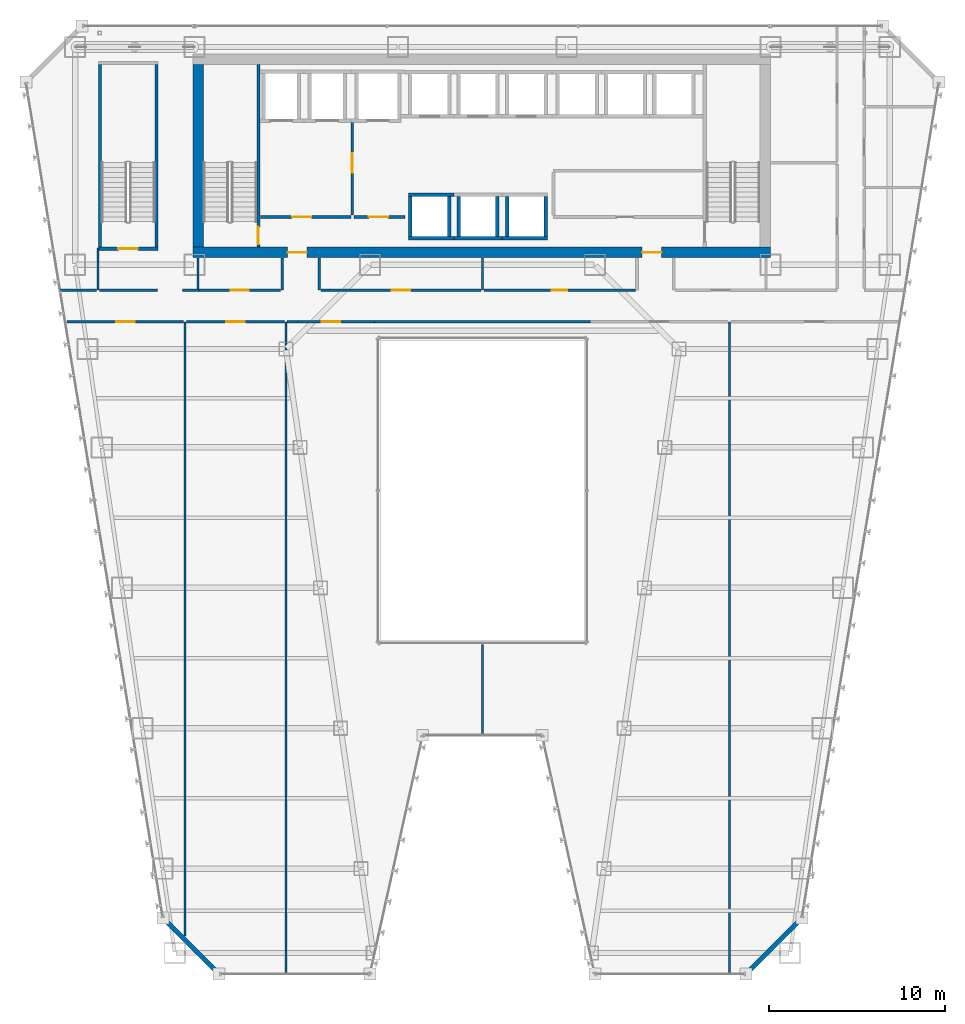
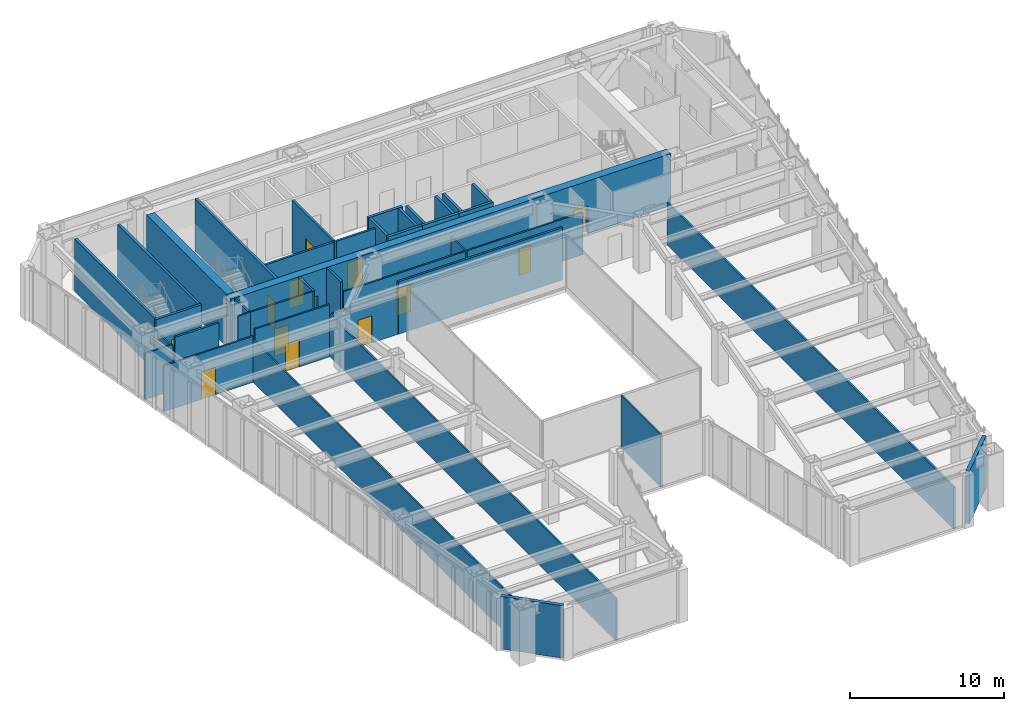
# One storey, part 36 of 47: 40 walls, 13 doors, 13 openings.
"""IFC4 building model written with IfcOpenShell, lengths in metres."""

import ifcopenshell
import ifcopenshell.guid

model = None  # the IFC model being written
_history = None  # IfcOwnerHistory: only IFC2X3 demands one
_inside = {}  # id of a spatial element -> (the spatial element, [elements in it])
_under = {}  # id of a project, library or spatial element -> (it, [spatial elements below it])
_declared = {}  # id of a project -> (the project, [libraries it declares])
_typed = {}  # id of a type object -> (the type object, [elements of that type])
_made_of = {}  # id of a material, layer set ... -> (it, [elements and type objects made of it])


def new_model(schema):
    """Start an empty IFC model of exactly this schema.

    Asked for "IFC4X3", IfcOpenShell would pick the latest addendum, in which some entities
    have other attributes; the version numbers below select the first issue.
    IFC2X3 requires an IfcOwnerHistory on every rooted entity: one is made here for all.
    """
    global model, _history
    if schema == "IFC4X3":
        model = ifcopenshell.file(schema_version=(4, 3, 0, 0))
    else:
        model = ifcopenshell.file(schema=schema)
    _inside.clear()
    _under.clear()
    _declared.clear()
    _typed.clear()
    _made_of.clear()
    _history = None
    if model.schema == "IFC2X3":
        org = make("IfcOrganization", Name="unknown")
        user = make(
            "IfcPersonAndOrganization",
            ThePerson=make("IfcPerson", FamilyName="unknown"),
            TheOrganization=org,
        )
        app = make(
            "IfcApplication",
            ApplicationDeveloper=org,
            Version="unknown",
            ApplicationFullName="unknown",
            ApplicationIdentifier="unknown",
        )
        _history = make(
            "IfcOwnerHistory",
            OwningUser=user,
            OwningApplication=app,
            ChangeAction="ADDED",
            CreationDate=0,
        )
    return model


def make(cls, **values):
    """One entity of the class cls with the attributes given. An attribute that is None is left unset."""
    return model.create_entity(
        cls, **{name: value for name, value in values.items() if value is not None}
    )


def rooted(cls, **values):
    """An entity with a GlobalId (a new one), such as an element, a storey or a relation."""
    return make(cls, GlobalId=ifcopenshell.guid.new(), OwnerHistory=_history, **values)


def si_unit(unit_type, name, prefix=None):
    """IfcSIUnit, for example si_unit("LENGTHUNIT", "METRE", prefix="MILLI")."""
    return make("IfcSIUnit", UnitType=unit_type, Prefix=prefix, Name=name)


def assignment(units):
    """IfcUnitAssignment: the units of a project."""
    return None if units is None else make("IfcUnitAssignment", Units=units)


def point(xyz):
    """IfcCartesianPoint."""
    return None if xyz is None else make("IfcCartesianPoint", Coordinates=xyz)


def direction(xyz):
    """IfcDirection."""
    return None if xyz is None else make("IfcDirection", DirectionRatios=xyz)


def frame(location, z_axis=None, x_axis=None):
    """IfcAxis2Placement3D, a coordinate frame: its origin and axes. An axis left out is left unset."""
    return make(
        "IfcAxis2Placement3D",
        Location=point(location),
        Axis=direction(z_axis),
        RefDirection=direction(x_axis),
    )


def frame_2d(location, x_axis=None):
    """IfcAxis2Placement2D, a coordinate frame in the plane: its origin and x axis."""
    return make(
        "IfcAxis2Placement2D", Location=point(location), RefDirection=direction(x_axis)
    )


def origin():
    """The frame at (0, 0, 0) with its axes left unset."""
    return frame((0.0, 0.0, 0.0))


def place(relative_to, where):
    """IfcLocalPlacement: puts the frame where relative to a parent placement (None: the world)."""
    return make(
        "IfcLocalPlacement", PlacementRelTo=relative_to, RelativePlacement=where
    )


def context(
    kind, dimensions, precision=None, world=None, true_north=None, identifier=None
):
    """IfcGeometricRepresentationContext, for example the 3D "Model" context."""
    return make(
        "IfcGeometricRepresentationContext",
        ContextIdentifier=identifier,
        ContextType=kind,
        CoordinateSpaceDimension=dimensions,
        Precision=precision,
        WorldCoordinateSystem=world,
        TrueNorth=true_north,
    )


def subcontext(parent, identifier, kind, view, scale=None):
    """IfcGeometricRepresentationSubContext, for example "Body" below "Model"."""
    return make(
        "IfcGeometricRepresentationSubContext",
        ContextIdentifier=identifier,
        ContextType=kind,
        ParentContext=parent,
        TargetScale=scale,
        TargetView=view,
    )


def project(units=None, contexts=None):
    """IfcProject with its units and contexts."""
    return rooted(
        "IfcProject",
        Name="project",
        RepresentationContexts=contexts,
        UnitsInContext=assignment(units),
    )


def spatial(cls, under=None, at=None, **own):
    """A site, building, storey or space (cls), placed at a placement, below another one or the project."""
    s = rooted(cls, ObjectPlacement=at, **own)
    if under is not None:
        _under.setdefault(under.id(), (under, []))[1].append(s)
    return s


def profile(cls, at=None, kind="AREA", **sizes):
    """A parametric profile (cls). Its sizes go by their IFC names, for example OverallWidth=200.0."""
    return make(cls, ProfileType=kind, Position=at, **sizes)


def rectangle(**sizes):
    """IfcRectangleProfileDef."""
    return profile("IfcRectangleProfileDef", **sizes)


def extrude(swept, where, along, depth):
    """IfcExtrudedAreaSolid: the profile swept, set in the frame where, extruded along a direction by depth."""
    return make(
        "IfcExtrudedAreaSolid",
        SweptArea=swept,
        Position=where,
        ExtrudedDirection=direction(along),
        Depth=depth,
    )


def shape(context_of_items, identifier, shape_type, items):
    """IfcShapeRepresentation: the items that make up one representation, for example the "Body"."""
    return make(
        "IfcShapeRepresentation",
        ContextOfItems=context_of_items,
        RepresentationIdentifier=identifier,
        RepresentationType=shape_type,
        Items=items,
    )


def material(Name=None, Category=None):
    """IfcMaterial."""
    return make("IfcMaterial", Name=Name, Category=Category)


def layer(
    of_material, thickness, ventilated=None, Name=None, Category=None, Priority=None
):
    """IfcMaterialLayer: one layer of a wall or slab, of a material (None: an air gap)."""
    return make(
        "IfcMaterialLayer",
        Material=of_material,
        LayerThickness=thickness,
        IsVentilated=ventilated,
        Name=Name,
        Category=Category,
        Priority=Priority,
    )


def layer_set(layers, Name=None):
    """IfcMaterialLayerSet."""
    return make("IfcMaterialLayerSet", MaterialLayers=layers, LayerSetName=Name)


def made_of(thing, what):
    """Note that an element or type object is made of a material, layer set ...; save() writes the relation."""
    if what is not None:
        _made_of.setdefault(what.id(), (what, []))[1].append(thing)
    return thing


def type_object(cls, material=None, **own):
    """A type object (cls), such as IfcWallType, which elements share."""
    return made_of(rooted(cls, **own), material)


def element(
    cls,
    number,
    at=None,
    inside=None,
    cuts=None,
    type_object=None,
    material=None,
    context=None,
    identifier="Body",
    shape_type=None,
    held_by="IfcProductDefinitionShape",
    body=None,
    shapes=None,
    **own,
):
    """One element of the class cls, such as IfcWall. Its Tag is "e" and its number.

    at: its placement. inside: the storey or other place that contains it. cuts: it is an
    opening in that element (IfcRelVoidsElement). A single representation is given by context,
    identifier, shape_type and body (its items); several are given by shapes. held_by: the class
    of the entity that holds the representations. save() writes the other relations.
    """
    e = rooted(cls, Tag="e%d" % number, ObjectPlacement=at, **own)
    if body is not None:
        shapes = [shape(context, identifier, shape_type, body)]
    if shapes is not None:
        e.Representation = make(held_by, Representations=shapes)
    if inside is not None:
        _inside.setdefault(inside.id(), (inside, []))[1].append(e)
    if cuts is not None:
        rooted(
            "IfcRelVoidsElement", RelatingBuildingElement=cuts, RelatedOpeningElement=e
        )
    if type_object is not None:
        _typed.setdefault(type_object.id(), (type_object, []))[1].append(e)
    return made_of(e, material)


def fill(opening, filler):
    """IfcRelFillsElement: the door or window that sits in an opening."""
    return rooted(
        "IfcRelFillsElement",
        RelatingOpeningElement=opening,
        RelatedBuildingElement=filler,
    )


def aggregate(whole, parts):
    """IfcRelAggregates: a whole, such as a stair, and the parts it consists of."""
    return rooted("IfcRelAggregates", RelatingObject=whole, RelatedObjects=parts)


def save(model, path):
    """Write the relations noted so far, then the file.

    IfcRelAggregates (storeys below a building ...), IfcRelContainedInSpatialStructure (elements
    in a storey), IfcRelDefinesByType, IfcRelAssociatesMaterial and IfcRelDeclares: one each for
    every whole, place, type object, material and project.
    """
    for whole, parts in _under.values():
        aggregate(whole, parts)
    for where, things in _inside.values():
        rooted(
            "IfcRelContainedInSpatialStructure",
            RelatedElements=things,
            RelatingStructure=where,
        )
    for kind, things in _typed.values():
        rooted("IfcRelDefinesByType", RelatedObjects=things, RelatingType=kind)
    for what, things in _made_of.values():
        rooted("IfcRelAssociatesMaterial", RelatedObjects=things, RelatingMaterial=what)
    for by, libraries in _declared.values():
        rooted("IfcRelDeclares", RelatingContext=by, RelatedDefinitions=libraries)
    model.write(path)


model = new_model("IFC4")

# Units and contexts
model_context = context("Model", 3, precision=1e-05, world=origin(), true_north=direction((0.0, 1.0)))
body_context = subcontext(model_context, "Body", "Model", "MODEL_VIEW")
ifc_project = project(units=[si_unit("LENGTHUNIT", "METRE"), si_unit("AREAUNIT", "SQUARE_METRE"), si_unit("VOLUMEUNIT", "CUBIC_METRE"), si_unit("PLANEANGLEUNIT", "RADIAN"), si_unit("MASSUNIT", "GRAM", prefix="KILO")], contexts=[model_context])

# Site, building, storey
site_placement = place(None, origin())
site = spatial("IfcSite", under=ifc_project, at=site_placement, CompositionType="ELEMENT")
building_placement = place(site_placement, origin())
building = spatial("IfcBuilding", under=site, at=building_placement, Name="Saevonmaru Cultural Tower", CompositionType="ELEMENT")
storey_placement = place(building_placement, frame((0.0, 0.0, 42.800048828125)))
storey = spatial("IfcBuildingStorey", under=building, at=storey_placement, Name="L08", CompositionType="ELEMENT", Elevation=42.800048828125)

# Wall, openings, doors
ifc_material_1 = material(Name="Concrete C60/75", Category="concrete")
ifc_layer_1 = layer(ifc_material_1, 0.60009765625, Name="Concrete C60/75")
ifc_layer_set_1 = layer_set([ifc_layer_1], Name="Concrete C60/75")
wall_type_1 = type_object("IfcWallType", Name="WL-CORE-600", PredefinedType="SHEAR", material=ifc_layer_set_1)
wall_1_placement = place(storey_placement, frame((13.5, 43.10009765625, 0.0), z_axis=(0.0, 0.0, 1.0), x_axis=(1.0, 0.0, 0.0)))
wall_1 = element("IfcWall", 1, at=wall_1_placement, inside=storey, type_object=wall_type_1, Name="L08 Tower RC core shear wall S", PredefinedType="SHEAR", context=body_context, shape_type="SweptSolid", body=[
    extrude(rectangle(XDim=32.89990234375, YDim=0.60009765625, at=frame_2d((16.449951171875, 0.0))), origin(), (0.0, 0.0, 1.0), 4.14990234375),
])
opening_1_placement = place(wall_1_placement, frame((5.39990234375, 0.0, 0.0)))
opening_1 = element("IfcOpeningElement", 2, at=opening_1_placement, cuts=wall_1, Name="Opening FD-2", PredefinedType="OPENING", context=body_context, shape_type="SweptSolid", body=[
    extrude(rectangle(XDim=1.10009765625, YDim=2.14990234375, at=frame_2d((0.550048828125, 1.074951171875))), frame((0.0, 0.31005859375, 0.0), z_axis=(0.0, -1.0, 0.0), x_axis=(1.0, 0.0, 0.0)), (0.0, 0.0, 1.0), 0.6201171875),
])
opening_2_placement = place(wall_1_placement, frame((25.60009765625, 0.0, 0.0)))
opening_2 = element("IfcOpeningElement", 3, at=opening_2_placement, cuts=wall_1, Name="Opening FD-2", PredefinedType="OPENING", context=body_context, shape_type="SweptSolid", body=[
    extrude(rectangle(XDim=1.10009765625, YDim=2.14990234375, at=frame_2d((0.550048828125, 1.074951171875))), frame((0.0, 0.31005859375, 0.0), z_axis=(0.0, -1.0, 0.0), x_axis=(1.0, 0.0, 0.0)), (0.0, 0.0, 1.0), 0.6201171875),
])
ifc_material_2 = material(Name="Satin Bronze Anodised Aluminium", Category="aluminium")
door_type_1 = type_object("IfcDoorType", Name="DR-FD60-1100", OperationType="SINGLE_SWING_LEFT", PredefinedType="DOOR", material=ifc_material_2)
door_1_placement = place(opening_1_placement, origin())
door_1 = element("IfcDoor", 4, at=door_1_placement, inside=storey, type_object=door_type_1, Name="L08 Core West Lobby Fire Door", OperationType="SINGLE_SWING_LEFT", OverallHeight=2.14990234375, OverallWidth=1.10009765625, PredefinedType="DOOR", context=body_context, shape_type="SweptSolid", body=[
    extrude(rectangle(XDim=1.10009765625, YDim=2.14990234375, at=frame_2d((0.550048828125, 1.074951171875))), frame((0.0, 0.02490234375, 0.0), z_axis=(0.0, -1.0, 0.0), x_axis=(1.0, 0.0, 0.0)), (0.0, 0.0, 1.0), 0.050048828125),
])
fill(opening_1, door_1)
door_2_placement = place(opening_2_placement, origin())
door_2 = element("IfcDoor", 5, at=door_2_placement, inside=storey, type_object=door_type_1, Name="L08 Core East Lobby Fire Door", OperationType="SINGLE_SWING_LEFT", OverallHeight=2.14990234375, OverallWidth=1.10009765625, PredefinedType="DOOR", context=body_context, shape_type="SweptSolid", body=[
    extrude(rectangle(XDim=1.10009765625, YDim=2.14990234375, at=frame_2d((0.550048828125, 1.074951171875))), frame((0.0, 0.02490234375, 0.0), z_axis=(0.0, -1.0, 0.0), x_axis=(1.0, 0.0, 0.0)), (0.0, 0.0, 1.0), 0.050048828125),
])
fill(opening_2, door_2)

# Wall
wall_2_placement = place(storey_placement, frame((13.800048828125, 43.39990234375, 0.0), z_axis=(0.0, 0.0, 1.0), x_axis=(0.0, 1.0, 0.0)))
element("IfcWall", 6, at=wall_2_placement, inside=storey, type_object=wall_type_1, Name="L08 Tower RC core shear wall W", PredefinedType="SHEAR", context=body_context, shape_type="SweptSolid", body=[
    extrude(rectangle(XDim=10.400146484375, YDim=0.60009765625, at=frame_2d((5.2001953125, 0.0))), origin(), (0.0, 0.0, 1.0), 4.14990234375),
])

# Wall, opening, door
ifc_material_3 = material(Name="Gypsum Fireboard Partition", Category="gypsum")
ifc_layer_2 = layer(ifc_material_3, 0.14990234375, Name="Gypsum Fireboard Partition")
ifc_layer_set_2 = layer_set([ifc_layer_2], Name="Gypsum Fireboard Partition")
wall_type_2 = type_object("IfcWallType", Name="WL-CORE-PART-150", PredefinedType="PARTITIONING", material=ifc_layer_set_2)
wall_3_placement = place(storey_placement, frame((17.360107421875, 45.1201171875, 0.0), z_axis=(0.0, 0.0, 1.0), x_axis=(1.0, 0.0, 0.0)))
wall_3 = element("IfcWall", 7, at=wall_3_placement, inside=storey, type_object=wall_type_2, Name="L08 Firefighting Lift Lobby South Wall", PredefinedType="PARTITIONING", context=body_context, shape_type="SweptSolid", body=[
    extrude(rectangle(XDim=5.139892578125, YDim=0.14990234375, at=frame_2d((2.56982421875, 0.0))), origin(), (0.0, 0.0, 1.0), 4.14990234375),
])
opening_3_placement = place(wall_3_placement, frame((1.800048828125, 0.0, 0.0)))
opening_3 = element("IfcOpeningElement", 8, at=opening_3_placement, cuts=wall_3, Name="Opening FD-2", PredefinedType="OPENING", context=body_context, shape_type="SweptSolid", body=[
    extrude(rectangle(XDim=1.10009765625, YDim=2.14990234375, at=frame_2d((0.550048828125, 1.074951171875))), frame((0.0, 0.0849609375, 0.0), z_axis=(0.0, -1.0, 0.0), x_axis=(1.0, 0.0, 0.0)), (0.0, 0.0, 1.0), 0.169921875),
])
door_3_placement = place(opening_3_placement, origin())
door_3 = element("IfcDoor", 9, at=door_3_placement, inside=storey, type_object=door_type_1, Name="L08 Firefighting Lift Lobby South Door", OperationType="SINGLE_SWING_LEFT", OverallHeight=2.14990234375, OverallWidth=1.10009765625, PredefinedType="DOOR", context=body_context, shape_type="SweptSolid", body=[
    extrude(rectangle(XDim=1.10009765625, YDim=2.14990234375, at=frame_2d((0.550048828125, 1.074951171875))), frame((0.0, 0.02490234375, 0.0), z_axis=(0.0, -1.0, 0.0), x_axis=(1.0, 0.0, 0.0)), (0.0, 0.0, 1.0), 0.050048828125),
])
fill(opening_3, door_3)

wall_4_placement = place(storey_placement, frame((22.580078125, 50.550048828125, 0.0), z_axis=(0.0, 0.0, 1.0), x_axis=(0.0, -1.0, 0.0)))
wall_4 = element("IfcWall", 10, at=wall_4_placement, inside=storey, type_object=wall_type_2, Name="L08 Firefighting Lift Lobby East Wall", PredefinedType="PARTITIONING", context=body_context, shape_type="SweptSolid", body=[
    extrude(rectangle(XDim=5.330078125, YDim=0.14990234375, at=frame_2d((2.6650390625, 0.0))), origin(), (0.0, 0.0, 1.0), 4.14990234375),
])
opening_4_placement = place(wall_4_placement, frame((1.800048828125, 0.0, 0.0)))
opening_4 = element("IfcOpeningElement", 11, at=opening_4_placement, cuts=wall_4, Name="Opening FD-2", PredefinedType="OPENING", context=body_context, shape_type="SweptSolid", body=[
    extrude(rectangle(XDim=1.10009765625, YDim=2.14990234375, at=frame_2d((0.550048828125, 1.074951171875))), frame((0.0, 0.0849609375, 0.0), z_axis=(0.0, -1.0, 0.0), x_axis=(1.0, 0.0, 0.0)), (0.0, 0.0, 1.0), 0.169921875),
])
door_4_placement = place(opening_4_placement, origin())
door_4 = element("IfcDoor", 12, at=door_4_placement, inside=storey, type_object=door_type_1, Name="L08 Firefighting Lift Lobby East Door", OperationType="SINGLE_SWING_LEFT", OverallHeight=2.14990234375, OverallWidth=1.10009765625, PredefinedType="DOOR", context=body_context, shape_type="SweptSolid", body=[
    extrude(rectangle(XDim=1.10009765625, YDim=2.14990234375, at=frame_2d((0.550048828125, 1.074951171875))), frame((0.0, 0.02490234375, 0.0), z_axis=(0.0, -1.0, 0.0), x_axis=(1.0, 0.0, 0.0)), (0.0, 0.0, 1.0), 0.050048828125),
])
fill(opening_4, door_4)

wall_5_placement = place(storey_placement, frame((22.679931640625, 45.1201171875, 0.0), z_axis=(0.0, 0.0, 1.0), x_axis=(1.0, 0.0, 0.0)))
wall_5 = element("IfcWall", 13, at=wall_5_placement, inside=storey, type_object=wall_type_2, Name="L08 Service Lift Vestibule Wall", PredefinedType="PARTITIONING", context=body_context, shape_type="SweptSolid", body=[
    extrude(rectangle(XDim=2.920166015625, YDim=0.14990234375, at=frame_2d((1.4599609375, 0.0))), origin(), (0.0, 0.0, 1.0), 4.14990234375),
])
opening_5_placement = place(wall_5_placement, frame((0.85009765625, 0.0, 0.0)))
opening_5 = element("IfcOpeningElement", 14, at=opening_5_placement, cuts=wall_5, Name="Opening FD-2", PredefinedType="OPENING", context=body_context, shape_type="SweptSolid", body=[
    extrude(rectangle(XDim=1.10009765625, YDim=2.14990234375, at=frame_2d((0.550048828125, 1.074951171875))), frame((0.0, 0.0849609375, 0.0), z_axis=(0.0, -1.0, 0.0), x_axis=(1.0, 0.0, 0.0)), (0.0, 0.0, 1.0), 0.169921875),
])
door_5_placement = place(opening_5_placement, origin())
door_5 = element("IfcDoor", 15, at=door_5_placement, inside=storey, type_object=door_type_1, Name="L08 Service Lift Vestibule Door", OperationType="SINGLE_SWING_LEFT", OverallHeight=2.14990234375, OverallWidth=1.10009765625, PredefinedType="DOOR", context=body_context, shape_type="SweptSolid", body=[
    extrude(rectangle(XDim=1.10009765625, YDim=2.14990234375, at=frame_2d((0.550048828125, 1.074951171875))), frame((0.0, 0.02490234375, 0.0), z_axis=(0.0, -1.0, 0.0), x_axis=(1.0, 0.0, 0.0)), (0.0, 0.0, 1.0), 0.050048828125),
])
fill(opening_5, door_5)

# Walls
ifc_material_4 = material(Name="Granite-Clad Precast Concrete C40/50", Category="masonry")
ifc_layer_3 = layer(ifc_material_4, 0.260009765625, Name="Granite-Clad Precast Concrete C40/50")
ifc_layer_set_3 = layer_set([ifc_layer_3], Name="Granite-Clad Precast Concrete C40/50")
wall_type_3 = type_object("IfcWallType", Name="WL-EXT-SPANDREL-260", PredefinedType="STANDARD", material=ifc_layer_set_3)
for number, where, z_axis, x_axis, name in (
    (16, (11.9130859375, 5.0869140625, 0.0), (0.0, 0.0, 1.0), (0.707106781187, -0.707106781187, 0.0), "L08 Chamfer Corner Spandrel Wall E1"),
    (17, (45.113037109375, 2.113037109375, 0.0), (0.0, 0.0, 1.0), (0.707106781187, 0.707106781187, 0.0), "L08 Chamfer Corner Spandrel Wall E7"),
):
    element("IfcWall", number, at=place(storey_placement, frame(where, z_axis=z_axis, x_axis=x_axis)), inside=storey, type_object=wall_type_3, Name=name, PredefinedType="STANDARD", context=body_context, shape_type="SweptSolid", body=[
        extrude(rectangle(XDim=4.205810546875, YDim=0.260009765625, at=frame_2d((2.10302734375, 0.0))), origin(), (0.0, 0.0, 1.0), 4.14990234375),
    ])
ifc_layer_4 = layer(ifc_material_3, 0.14990234375, Name="Gypsum Fireboard Partition")
ifc_layer_set_4 = layer_set([ifc_layer_4], Name="Gypsum Fireboard Partition")
wall_type_4 = type_object("IfcWallType", Name="WL-PART-FIRE-150", PredefinedType="PARTITIONING", material=ifc_layer_set_4)
wall_6_placement = place(storey_placement, frame((8.179931640625, 40.949951171875, 0.0), z_axis=(0.0, 0.0, 1.0), x_axis=(1.0, 0.0, 0.0)))
element("IfcWall", 18, at=wall_6_placement, inside=storey, type_object=wall_type_4, Name="L08 Stair ST-3 South Vestibule Wall", PredefinedType="PARTITIONING", context=body_context, shape_type="SweptSolid", body=[
    extrude(rectangle(XDim=3.300048828125, YDim=0.14990234375, at=frame_2d((1.64990234375, 0.0))), origin(), (0.0, 0.0, 1.0), 4.14990234375),
])
for number, where, z_axis, x_axis, name in (
    (19, (18.60009765625, 40.949951171875, 0.0), (0.0, 0.0, 1.0), (0.0, 1.0, 0.0), "L08 Core Portal Side Wall W1"),
    (20, (20.699951171875, 40.949951171875, 0.0), (0.0, 0.0, 1.0), (0.0, 1.0, 0.0), "L08 Core Portal Side Wall W2"),
):
    element("IfcWall", number, at=place(storey_placement, frame(where, z_axis=z_axis, x_axis=x_axis)), inside=storey, type_object=wall_type_4, Name=name, PredefinedType="PARTITIONING", context=body_context, shape_type="SweptSolid", body=[
        extrude(rectangle(XDim=1.830078125, YDim=0.14990234375, at=frame_2d((0.9150390625, 0.0))), origin(), (0.0, 0.0, 1.0), 4.14990234375),
    ])
wall_7_placement = place(storey_placement, frame((23.85009765625, 39.14990234375, 0.0), z_axis=(0.0, 0.0, 1.0), x_axis=(1.0, 0.0, 0.0)))
element("IfcWall", 21, at=wall_7_placement, inside=storey, type_object=wall_type_4, Name="L08 North Atrium Corridor Wall", PredefinedType="PARTITIONING", context=body_context, shape_type="SweptSolid", body=[
    extrude(rectangle(XDim=12.2998046875, YDim=0.14990234375, at=frame_2d((6.14990234375, 0.0))), origin(), (0.0, 0.0, 1.0), 4.14990234375),
])
ifc_layer_5 = layer(ifc_material_3, 0.1201171875, Name="Gypsum Fireboard Partition")
ifc_layer_set_5 = layer_set([ifc_layer_5], Name="Gypsum Fireboard Partition")
wall_type_5 = type_object("IfcWallType", Name="WL-PART-GYP-120", PredefinedType="PARTITIONING", material=ifc_layer_set_5)
wall_8_placement = place(storey_placement, frame((12.919921875, 40.949951171875, 0.0), z_axis=(0.0, 0.0, 1.0), x_axis=(1.0, 0.0, 0.0)))
element("IfcWall", 22, at=wall_8_placement, inside=storey, type_object=wall_type_5, Name="L08 NW Inner South Wall", PredefinedType="PARTITIONING", context=body_context, shape_type="SweptSolid", body=[
    extrude(rectangle(XDim=0.93017578125, YDim=0.1201171875, at=frame_2d((0.465087890625, 0.0))), origin(), (0.0, 0.0, 1.0), 4.14990234375),
])
wall_9_placement = place(storey_placement, frame((13.800048828125, 41.030029296875, 0.0), z_axis=(0.0, 0.0, 1.0), x_axis=(0.0, 1.0, 0.0)))
element("IfcWall", 23, at=wall_9_placement, inside=storey, type_object=wall_type_5, Name="L08 NW Inner Core Return", PredefinedType="PARTITIONING", context=body_context, shape_type="SweptSolid", body=[
    extrude(rectangle(XDim=1.75, YDim=0.1201171875, at=frame_2d((0.875, 0.0))), origin(), (0.0, 0.0, 1.0), 4.14990234375),
])
wall_10_placement = place(storey_placement, frame((8.10009765625, 40.949951171875, 0.0), z_axis=(0.0, 0.0, 1.0), x_axis=(0.0, 1.0, 0.0)))
element("IfcWall", 24, at=wall_10_placement, inside=storey, type_object=wall_type_5, Name="L08 NW Stair Return", PredefinedType="PARTITIONING", context=body_context, shape_type="SweptSolid", body=[
    extrude(rectangle(XDim=2.400146484375, YDim=0.1201171875, at=frame_2d((1.2001953125, 0.0))), origin(), (0.0, 0.0, 1.0), 3.3349609375),
])
wall_11_placement = place(storey_placement, frame((5.947021484375, 40.949951171875, 0.0), z_axis=(0.0, 0.0, 1.0), x_axis=(1.0, 0.0, 0.0)))
element("IfcWall", 25, at=wall_11_placement, inside=storey, type_object=wall_type_5, Name="L08 Cartographic Study Library Corridor Wall", PredefinedType="PARTITIONING", context=body_context, shape_type="SweptSolid", body=[
    extrude(rectangle(XDim=2.072998046875, YDim=0.1201171875, at=frame_2d((1.03662109375, 0.0))), origin(), (0.0, 0.0, 1.0), 3.635009765625),
])

# Wall, opening, door
wall_12_placement = place(storey_placement, frame((13.85009765625, 40.949951171875, 0.0), z_axis=(0.0, 0.0, 1.0), x_axis=(1.0, 0.0, 0.0)))
wall_12 = element("IfcWall", 26, at=wall_12_placement, inside=storey, type_object=wall_type_5, Name="L08 Rare Manuscript Reading Room Corridor Wall", PredefinedType="PARTITIONING", context=body_context, shape_type="SweptSolid", body=[
    extrude(rectangle(XDim=4.65478515625, YDim=0.1201171875, at=frame_2d((2.327392578125, 0.0))), origin(), (0.0, 0.0, 1.0), 4.14990234375),
])
opening_6_placement = place(wall_12_placement, frame((1.802001953125, 0.0, 0.0)))
opening_6 = element("IfcOpeningElement", 27, at=opening_6_placement, cuts=wall_12, Name="Opening ID-1", PredefinedType="OPENING", context=body_context, shape_type="SweptSolid", body=[
    extrude(rectangle(XDim=1.050048828125, YDim=2.14990234375, at=frame_2d((0.52490234375, 1.074951171875))), frame((0.0, 0.070068359375, 0.0), z_axis=(0.0, -1.0, 0.0), x_axis=(1.0, 0.0, 0.0)), (0.0, 0.0, 1.0), 0.14013671875),
])
door_type_2 = type_object("IfcDoorType", Name="DR-INT-1050", OperationType="SINGLE_SWING_LEFT", PredefinedType="DOOR", material=ifc_material_2)
door_6_placement = place(opening_6_placement, origin())
door_6 = element("IfcDoor", 28, at=door_6_placement, inside=storey, type_object=door_type_2, Name="L08 Rare Manuscript Reading Room Door", OperationType="SINGLE_SWING_LEFT", OverallHeight=2.14990234375, OverallWidth=1.050048828125, PredefinedType="DOOR", context=body_context, shape_type="SweptSolid", body=[
    extrude(rectangle(XDim=1.050048828125, YDim=2.14990234375, at=frame_2d((0.52490234375, 1.074951171875))), frame((0.0, 0.02490234375, 0.0), z_axis=(0.0, -1.0, 0.0), x_axis=(1.0, 0.0, 0.0)), (0.0, 0.0, 1.0), 0.050048828125),
])
fill(opening_6, door_6)

# Wall
wall_13_placement = place(storey_placement, frame((30.0, 40.949951171875, 0.0), z_axis=(0.0, 0.0, 1.0), x_axis=(0.0, 1.0, 0.0)))
element("IfcWall", 29, at=wall_13_placement, inside=storey, type_object=wall_type_5, Name="L08 Spine Alcove Split", PredefinedType="PARTITIONING", context=body_context, shape_type="SweptSolid", body=[
    extrude(rectangle(XDim=1.830078125, YDim=0.1201171875, at=frame_2d((0.9150390625, 0.0))), origin(), (0.0, 0.0, 1.0), 3.3349609375),
])

# Wall, opening, door
wall_14_placement = place(storey_placement, frame((20.794921875, 40.949951171875, 0.0), z_axis=(0.0, 0.0, 1.0), x_axis=(1.0, 0.0, 0.0)))
wall_14 = element("IfcWall", 30, at=wall_14_placement, inside=storey, type_object=wall_type_5, Name="L08 Rare Manuscript Reading Room Corridor Wall", PredefinedType="PARTITIONING", context=body_context, shape_type="SweptSolid", body=[
    extrude(rectangle(XDim=9.125, YDim=0.1201171875, at=frame_2d((4.5625, 0.0))), origin(), (0.0, 0.0, 1.0), 3.3349609375),
])
opening_7_placement = place(wall_14_placement, frame((4.037109375, 0.0, 0.0)))
opening_7 = element("IfcOpeningElement", 31, at=opening_7_placement, cuts=wall_14, Name="Opening ID-1", PredefinedType="OPENING", context=body_context, shape_type="SweptSolid", body=[
    extrude(rectangle(XDim=1.050048828125, YDim=2.14990234375, at=frame_2d((0.52490234375, 1.074951171875))), frame((0.0, 0.070068359375, 0.0), z_axis=(0.0, -1.0, 0.0), x_axis=(1.0, 0.0, 0.0)), (0.0, 0.0, 1.0), 0.14013671875),
])
door_7_placement = place(opening_7_placement, origin())
door_7 = element("IfcDoor", 32, at=door_7_placement, inside=storey, type_object=door_type_2, Name="L08 Rare Manuscript Reading Room Door", OperationType="SINGLE_SWING_RIGHT", OverallHeight=2.14990234375, OverallWidth=1.050048828125, PredefinedType="DOOR", context=body_context, shape_type="SweptSolid", body=[
    extrude(rectangle(XDim=1.050048828125, YDim=2.14990234375, at=frame_2d((0.52490234375, 1.074951171875))), frame((0.0, 0.02490234375, 0.0), z_axis=(0.0, -1.0, 0.0), x_axis=(1.0, 0.0, 0.0)), (0.0, 0.0, 1.0), 0.050048828125),
])
fill(opening_7, door_7)

wall_15_placement = place(storey_placement, frame((30.080078125, 40.949951171875, 0.0), z_axis=(0.0, 0.0, 1.0), x_axis=(1.0, 0.0, 0.0)))
wall_15 = element("IfcWall", 33, at=wall_15_placement, inside=storey, type_object=wall_type_5, Name="L08 Scholarly Colloquium Meeting Room Corridor Wall", PredefinedType="PARTITIONING", context=body_context, shape_type="SweptSolid", body=[
    extrude(rectangle(XDim=8.625, YDim=0.1201171875, at=frame_2d((4.3125, 0.0))), origin(), (0.0, 0.0, 1.0), 3.3349609375),
])
opening_8_placement = place(wall_15_placement, frame((3.862060546875, 0.0, 0.0)))
opening_8 = element("IfcOpeningElement", 34, at=opening_8_placement, cuts=wall_15, Name="Opening ID-2", PredefinedType="OPENING", context=body_context, shape_type="SweptSolid", body=[
    extrude(rectangle(XDim=0.89990234375, YDim=2.10009765625, at=frame_2d((0.449951171875, 1.050048828125))), frame((0.0, 0.070068359375, 0.0), z_axis=(0.0, -1.0, 0.0), x_axis=(1.0, 0.0, 0.0)), (0.0, 0.0, 1.0), 0.14013671875),
])
ifc_material_5 = material(Name="Acoustic Stained Oak Timber", Category="wood")
door_type_3 = type_object("IfcDoorType", Name="DR-INT-900", OperationType="SINGLE_SWING_RIGHT", PredefinedType="DOOR", material=ifc_material_5)
door_8_placement = place(opening_8_placement, origin())
door_8 = element("IfcDoor", 35, at=door_8_placement, inside=storey, type_object=door_type_3, Name="L08 Scholarly Colloquium Meeting Room Door", OperationType="SINGLE_SWING_LEFT", OverallHeight=2.10009765625, OverallWidth=0.89990234375, PredefinedType="DOOR", context=body_context, shape_type="SweptSolid", body=[
    extrude(rectangle(XDim=0.89990234375, YDim=2.10009765625, at=frame_2d((0.449951171875, 1.050048828125))), frame((0.0, 0.02490234375, 0.0), z_axis=(0.0, -1.0, 0.0), x_axis=(1.0, 0.0, 0.0)), (0.0, 0.0, 1.0), 0.050048828125),
])
fill(opening_8, door_8)

# Walls
wall_16_placement = place(storey_placement, frame((13.06005859375, 4.152099609375, 0.0), z_axis=(0.0, 0.0, 1.0), x_axis=(0.0, 1.0, 0.0)))
element("IfcWall", 36, at=wall_16_placement, inside=storey, type_object=wall_type_5, Name="L08 West Bay Divider 1", PredefinedType="PARTITIONING", context=body_context, shape_type="SweptSolid", body=[
    extrude(rectangle(XDim=34.997802734375, YDim=0.1201171875, at=frame_2d((17.4990234375, 0.0))), origin(), (0.0, 0.0, 1.0), 3.3349609375),
])
wall_17_placement = place(storey_placement, frame((18.800048828125, 2.0048828125, 0.0), z_axis=(0.0, 0.0, 1.0), x_axis=(0.0, 1.0, 0.0)))
element("IfcWall", 37, at=wall_17_placement, inside=storey, type_object=wall_type_5, Name="L08 West Bay Divider 2", PredefinedType="PARTITIONING", context=body_context, shape_type="SweptSolid", body=[
    extrude(rectangle(XDim=37.14501953125, YDim=0.1201171875, at=frame_2d((18.572509765625, 0.0))), origin(), (0.0, 0.0, 1.0), 3.3349609375),
])
wall_18_placement = place(storey_placement, frame((30.0, 15.60498046875, 0.0), z_axis=(0.0, 0.0, 1.0), x_axis=(0.0, 1.0, 0.0)))
element("IfcWall", 38, at=wall_18_placement, inside=storey, type_object=wall_type_5, Name="L08 South Atrium Center Split", PredefinedType="PARTITIONING", context=body_context, shape_type="SweptSolid", body=[
    extrude(rectangle(XDim=5.175048828125, YDim=0.1201171875, at=frame_2d((2.58740234375, 0.0))), origin(), (0.0, 0.0, 1.0), 4.14990234375),
])

# Wall, opening, door
wall_19_placement = place(storey_placement, frame((6.333984375, 39.14990234375, 0.0), z_axis=(0.0, 0.0, 1.0), x_axis=(1.0, 0.0, 0.0)))
wall_19 = element("IfcWall", 39, at=wall_19_placement, inside=storey, type_object=wall_type_5, Name="L08 Rare Manuscript Reading Room Corridor Wall", PredefinedType="PARTITIONING", context=body_context, shape_type="SweptSolid", body=[
    extrude(rectangle(XDim=6.64599609375, YDim=0.1201171875, at=frame_2d((3.322998046875, 0.0))), origin(), (0.0, 0.0, 1.0), 3.635009765625),
])
opening_9_placement = place(wall_19_placement, frame((2.798095703125, 0.0, 0.0)))
opening_9 = element("IfcOpeningElement", 40, at=opening_9_placement, cuts=wall_19, Name="Opening ID-1", PredefinedType="OPENING", context=body_context, shape_type="SweptSolid", body=[
    extrude(rectangle(XDim=1.050048828125, YDim=2.14990234375, at=frame_2d((0.52490234375, 1.074951171875))), frame((0.0, 0.070068359375, 0.0), z_axis=(0.0, -1.0, 0.0), x_axis=(1.0, 0.0, 0.0)), (0.0, 0.0, 1.0), 0.14013671875),
])
door_9_placement = place(opening_9_placement, origin())
door_9 = element("IfcDoor", 41, at=door_9_placement, inside=storey, type_object=door_type_2, Name="L08 Rare Manuscript Reading Room Door", OperationType="SINGLE_SWING_LEFT", OverallHeight=2.14990234375, OverallWidth=1.050048828125, PredefinedType="DOOR", context=body_context, shape_type="SweptSolid", body=[
    extrude(rectangle(XDim=1.050048828125, YDim=2.14990234375, at=frame_2d((0.52490234375, 1.074951171875))), frame((0.0, 0.02490234375, 0.0), z_axis=(0.0, -1.0, 0.0), x_axis=(1.0, 0.0, 0.0)), (0.0, 0.0, 1.0), 0.050048828125),
])
fill(opening_9, door_9)

wall_20_placement = place(storey_placement, frame((13.139892578125, 39.14990234375, 0.0), z_axis=(0.0, 0.0, 1.0), x_axis=(1.0, 0.0, 0.0)))
wall_20 = element("IfcWall", 42, at=wall_20_placement, inside=storey, type_object=wall_type_5, Name="L08 Cartographic Study Library Corridor Wall", PredefinedType="PARTITIONING", context=body_context, shape_type="SweptSolid", body=[
    extrude(rectangle(XDim=5.580078125, YDim=0.1201171875, at=frame_2d((2.7900390625, 0.0))), origin(), (0.0, 0.0, 1.0), 4.14990234375),
])
opening_10_placement = place(wall_20_placement, frame((2.264892578125, 0.0, 0.0)))
opening_10 = element("IfcOpeningElement", 43, at=opening_10_placement, cuts=wall_20, Name="Opening ID-1", PredefinedType="OPENING", context=body_context, shape_type="SweptSolid", body=[
    extrude(rectangle(XDim=1.050048828125, YDim=2.14990234375, at=frame_2d((0.52490234375, 1.074951171875))), frame((0.0, 0.070068359375, 0.0), z_axis=(0.0, -1.0, 0.0), x_axis=(1.0, 0.0, 0.0)), (0.0, 0.0, 1.0), 0.14013671875),
])
door_10_placement = place(opening_10_placement, origin())
door_10 = element("IfcDoor", 44, at=door_10_placement, inside=storey, type_object=door_type_2, Name="L08 Cartographic Study Library Door", OperationType="SINGLE_SWING_RIGHT", OverallHeight=2.14990234375, OverallWidth=1.050048828125, PredefinedType="DOOR", context=body_context, shape_type="SweptSolid", body=[
    extrude(rectangle(XDim=1.050048828125, YDim=2.14990234375, at=frame_2d((0.52490234375, 1.074951171875))), frame((0.0, 0.02490234375, 0.0), z_axis=(0.0, -1.0, 0.0), x_axis=(1.0, 0.0, 0.0)), (0.0, 0.0, 1.0), 0.050048828125),
])
fill(opening_10, door_10)

wall_21_placement = place(storey_placement, frame((18.8798828125, 39.14990234375, 0.0), z_axis=(0.0, 0.0, 1.0), x_axis=(1.0, 0.0, 0.0)))
wall_21 = element("IfcWall", 45, at=wall_21_placement, inside=storey, type_object=wall_type_5, Name="L08 Periodical Reading Room Corridor Wall", PredefinedType="PARTITIONING", context=body_context, shape_type="SweptSolid", body=[
    extrude(rectangle(XDim=4.97021484375, YDim=0.1201171875, at=frame_2d((2.485107421875, 0.0))), origin(), (0.0, 0.0, 1.0), 3.3349609375),
])
opening_11_placement = place(wall_21_placement, frame((1.9599609375, 0.0, 0.0)))
opening_11 = element("IfcOpeningElement", 46, at=opening_11_placement, cuts=wall_21, Name="Opening ID-1", PredefinedType="OPENING", context=body_context, shape_type="SweptSolid", body=[
    extrude(rectangle(XDim=1.050048828125, YDim=2.14990234375, at=frame_2d((0.52490234375, 1.074951171875))), frame((0.0, 0.070068359375, 0.0), z_axis=(0.0, -1.0, 0.0), x_axis=(1.0, 0.0, 0.0)), (0.0, 0.0, 1.0), 0.14013671875),
])
door_11_placement = place(opening_11_placement, origin())
door_11 = element("IfcDoor", 47, at=door_11_placement, inside=storey, type_object=door_type_2, Name="L08 Periodical Reading Room Door", OperationType="SINGLE_SWING_LEFT", OverallHeight=2.14990234375, OverallWidth=1.050048828125, PredefinedType="DOOR", context=body_context, shape_type="SweptSolid", body=[
    extrude(rectangle(XDim=1.050048828125, YDim=2.14990234375, at=frame_2d((0.52490234375, 1.074951171875))), frame((0.0, 0.02490234375, 0.0), z_axis=(0.0, -1.0, 0.0), x_axis=(1.0, 0.0, 0.0)), (0.0, 0.0, 1.0), 0.050048828125),
])
fill(opening_11, door_11)

# Walls
ifc_layer_6 = layer(ifc_material_3, 0.135009765625, Name="Gypsum Fireboard Partition")
ifc_layer_set_6 = layer_set([ifc_layer_6], Name="Gypsum Fireboard Partition")
wall_type_6 = type_object("IfcWallType", Name="WL-PART-GYP-135", PredefinedType="PARTITIONING", material=ifc_layer_set_6)
wall_22_placement = place(storey_placement, frame((44.070068359375, 2.0048828125, 0.0), z_axis=(0.0, 0.0, 1.0), x_axis=(0.0, 1.0, 0.0)))
element("IfcWall", 48, at=wall_22_placement, inside=storey, type_object=wall_type_6, Name="L08 East Bay Divider 1", PredefinedType="PARTITIONING", context=body_context, shape_type="SweptSolid", body=[
    extrude(rectangle(XDim=37.14501953125, YDim=0.135009765625, at=frame_2d((18.572509765625, 0.0))), origin(), (0.0, 0.0, 1.0), 3.3349609375),
])
ifc_material_6 = material(Name="Concrete C40/50", Category="concrete")
ifc_layer_7 = layer(ifc_material_6, 0.199951171875, Name="Concrete C40/50")
ifc_layer_set_7 = layer_set([ifc_layer_7], Name="Concrete C40/50")
wall_type_7 = type_object("IfcWallType", Name="WL-SHAFT-200", PredefinedType="SHEAR", material=ifc_layer_set_7)
for number, where, z_axis, x_axis, name in (
    (49, (25.800048828125, 43.89990234375, 0.0), (0.0, 0.0, 1.0), (1.0, 0.0, 0.0), "L08 Lift PL-M1 Hoistway Wall S"),
    (50, (25.800048828125, 46.39990234375, 0.0), (0.0, 0.0, 1.0), (1.0, 0.0, 0.0), "L08 Lift PL-M1 Hoistway Wall N"),
):
    element("IfcWall", number, at=place(storey_placement, frame(where, z_axis=z_axis, x_axis=x_axis)), inside=storey, type_object=wall_type_7, Name=name, PredefinedType="SHEAR", context=body_context, shape_type="SweptSolid", body=[
        extrude(rectangle(XDim=2.574951171875, YDim=0.199951171875, at=frame_2d((1.28759765625, 0.0))), origin(), (0.0, 0.0, 1.0), 4.14990234375),
    ])
for number, where, z_axis, x_axis, name in (
    (51, (25.89990234375, 44.0, 0.0), (0.0, 0.0, 1.0), (0.0, 1.0, 0.0), "L08 Lift PL-M1 Hoistway Wall W"),
    (52, (28.10009765625, 44.0, 0.0), (0.0, 0.0, 1.0), (0.0, 1.0, 0.0), "L08 Lift PL-M1 Hoistway Wall E"),
):
    element("IfcWall", number, at=place(storey_placement, frame(where, z_axis=z_axis, x_axis=x_axis)), inside=storey, type_object=wall_type_7, Name=name, PredefinedType="SHEAR", context=body_context, shape_type="SweptSolid", body=[
        extrude(rectangle(XDim=2.300048828125, YDim=0.199951171875, at=frame_2d((1.14990234375, 0.0))), origin(), (0.0, 0.0, 1.0), 4.14990234375),
    ])
wall_23_placement = place(storey_placement, frame((28.375, 43.89990234375, 0.0), z_axis=(0.0, 0.0, 1.0), x_axis=(1.0, 0.0, 0.0)))
element("IfcWall", 53, at=wall_23_placement, inside=storey, type_object=wall_type_7, Name="L08 Lift PL-M2 Hoistway Wall S", PredefinedType="SHEAR", context=body_context, shape_type="SweptSolid", body=[
    extrude(rectangle(XDim=2.75, YDim=0.199951171875, at=frame_2d((1.375, 0.0))), origin(), (0.0, 0.0, 1.0), 4.14990234375),
])
for number, where, z_axis, x_axis, name in (
    (54, (28.64990234375, 44.0, 0.0), (0.0, 0.0, 1.0), (0.0, 1.0, 0.0), "L08 Lift PL-M2 Hoistway Wall W"),
    (55, (30.85009765625, 44.0, 0.0), (0.0, 0.0, 1.0), (0.0, 1.0, 0.0), "L08 Lift PL-M2 Hoistway Wall E"),
):
    element("IfcWall", number, at=place(storey_placement, frame(where, z_axis=z_axis, x_axis=x_axis)), inside=storey, type_object=wall_type_7, Name=name, PredefinedType="SHEAR", context=body_context, shape_type="SweptSolid", body=[
        extrude(rectangle(XDim=2.300048828125, YDim=0.199951171875, at=frame_2d((1.14990234375, 0.0))), origin(), (0.0, 0.0, 1.0), 4.14990234375),
    ])
wall_24_placement = place(storey_placement, frame((31.125, 43.89990234375, 0.0), z_axis=(0.0, 0.0, 1.0), x_axis=(1.0, 0.0, 0.0)))
element("IfcWall", 56, at=wall_24_placement, inside=storey, type_object=wall_type_7, Name="L08 Lift PL-M3 Hoistway Wall S", PredefinedType="SHEAR", context=body_context, shape_type="SweptSolid", body=[
    extrude(rectangle(XDim=2.574951171875, YDim=0.199951171875, at=frame_2d((1.28759765625, 0.0))), origin(), (0.0, 0.0, 1.0), 4.14990234375),
])
for number, where, z_axis, x_axis, name in (
    (57, (31.39990234375, 44.0, 0.0), (0.0, 0.0, 1.0), (0.0, 1.0, 0.0), "L08 Lift PL-M3 Hoistway Wall W"),
    (58, (33.60009765625, 44.0, 0.0), (0.0, 0.0, 1.0), (0.0, 1.0, 0.0), "L08 Lift PL-M3 Hoistway Wall E"),
):
    element("IfcWall", number, at=place(storey_placement, frame(where, z_axis=z_axis, x_axis=x_axis)), inside=storey, type_object=wall_type_7, Name=name, PredefinedType="SHEAR", context=body_context, shape_type="SweptSolid", body=[
        extrude(rectangle(XDim=2.300048828125, YDim=0.199951171875, at=frame_2d((1.14990234375, 0.0))), origin(), (0.0, 0.0, 1.0), 4.14990234375),
    ])

# Wall, opening, door
ifc_layer_8 = layer(ifc_material_6, 0.179931640625, Name="Concrete C40/50")
ifc_layer_set_8 = layer_set([ifc_layer_8], Name="Concrete C40/50")
wall_type_8 = type_object("IfcWallType", Name="WL-STSHAFT-180", PredefinedType="SHEAR", material=ifc_layer_set_8)
wall_25_placement = place(storey_placement, frame((17.239990234375, 43.39990234375, 0.0), z_axis=(0.0, 0.0, 1.0), x_axis=(0.0, 1.0, 0.0)))
wall_25 = element("IfcWall", 59, at=wall_25_placement, inside=storey, type_object=wall_type_8, Name="L08 Stair ST-1 Structural Shaft Wall 1", PredefinedType="SHEAR", context=body_context, shape_type="SweptSolid", body=[
    extrude(rectangle(XDim=10.400146484375, YDim=0.179931640625, at=frame_2d((5.2001953125, 0.0))), origin(), (0.0, 0.0, 1.0), 4.14990234375),
])
opening_12_placement = place(wall_25_placement, frame((0.159912109375, 0.0, 0.0)))
opening_12 = element("IfcOpeningElement", 60, at=opening_12_placement, cuts=wall_25, Name="Opening FD-3", PredefinedType="OPENING", context=body_context, shape_type="SweptSolid", body=[
    extrude(rectangle(XDim=1.0, YDim=2.14990234375, at=frame_2d((0.5, 1.074951171875))), frame((0.0, 0.10009765625, 0.0), z_axis=(0.0, -1.0, 0.0), x_axis=(1.0, 0.0, 0.0)), (0.0, 0.0, 1.0), 0.199951171875),
])
door_type_4 = type_object("IfcDoorType", Name="DR-FD60-1000", OperationType="SINGLE_SWING_RIGHT", PredefinedType="DOOR", material=ifc_material_2)
door_12_placement = place(opening_12_placement, origin())
door_12 = element("IfcDoor", 61, at=door_12_placement, inside=storey, type_object=door_type_4, Name="L08 Protected Stair ST-1 Fire Door", OperationType="SINGLE_SWING_RIGHT", OverallHeight=2.14990234375, OverallWidth=1.0, PredefinedType="DOOR", context=body_context, shape_type="SweptSolid", body=[
    extrude(rectangle(XDim=1.0, YDim=2.14990234375, at=frame_2d((0.5, 1.074951171875))), frame((0.0, 0.02490234375, 0.0), z_axis=(0.0, -1.0, 0.0), x_axis=(1.0, 0.0, 0.0)), (0.0, 0.0, 1.0), 0.050048828125),
])
fill(opening_12, door_12)

wall_26_placement = place(storey_placement, frame((8.1201171875, 43.31005859375, 0.0), z_axis=(0.0, 0.0, 1.0), x_axis=(1.0, 0.0, 0.0)))
wall_26 = element("IfcWall", 62, at=wall_26_placement, inside=storey, type_object=wall_type_8, Name="L08 Stair ST-3 Structural Shaft Wall 1", PredefinedType="SHEAR", context=body_context, shape_type="SweptSolid", body=[
    extrude(rectangle(XDim=3.409912109375, YDim=0.179931640625, at=frame_2d((1.705078125, 0.0))), origin(), (0.0, 0.0, 1.0), 4.14990234375),
])
opening_13_placement = place(wall_26_placement, frame((1.14990234375, 0.0, 0.0)))
opening_13 = element("IfcOpeningElement", 63, at=opening_13_placement, cuts=wall_26, Name="Opening FD-2", PredefinedType="OPENING", context=body_context, shape_type="SweptSolid", body=[
    extrude(rectangle(XDim=1.10009765625, YDim=2.14990234375, at=frame_2d((0.550048828125, 1.074951171875))), frame((0.0, 0.10009765625, 0.0), z_axis=(0.0, -1.0, 0.0), x_axis=(1.0, 0.0, 0.0)), (0.0, 0.0, 1.0), 0.199951171875),
])
door_13_placement = place(opening_13_placement, origin())
door_13 = element("IfcDoor", 64, at=door_13_placement, inside=storey, type_object=door_type_1, Name="L08 Protected Stair ST-3 Fire Door", OperationType="SINGLE_SWING_LEFT", OverallHeight=2.14990234375, OverallWidth=1.10009765625, PredefinedType="DOOR", context=body_context, shape_type="SweptSolid", body=[
    extrude(rectangle(XDim=1.10009765625, YDim=2.14990234375, at=frame_2d((0.550048828125, 1.074951171875))), frame((0.0, 0.02490234375, 0.0), z_axis=(0.0, -1.0, 0.0), x_axis=(1.0, 0.0, 0.0)), (0.0, 0.0, 1.0), 0.050048828125),
])
fill(opening_13, door_13)

# Walls
for number, where, z_axis, x_axis, name in (
    (65, (11.43994140625, 43.39990234375, 0.0), (0.0, 0.0, 1.0), (0.0, 1.0, 0.0), "L08 Stair ST-3 Structural Shaft Wall 2"),
    (66, (8.2099609375, 53.800048828125, 0.0), (0.0, 0.0, 1.0), (0.0, -1.0, 0.0), "L08 Stair ST-3 Structural Shaft Wall 4"),
):
    element("IfcWall", number, at=place(storey_placement, frame(where, z_axis=z_axis, x_axis=x_axis)), inside=storey, type_object=wall_type_8, Name=name, PredefinedType="SHEAR", context=body_context, shape_type="SweptSolid", body=[
        extrude(rectangle(XDim=10.400146484375, YDim=0.179931640625, at=frame_2d((5.2001953125, 0.0))), origin(), (0.0, 0.0, 1.0), 4.14990234375),
    ])

save(model, "model.ifc")
